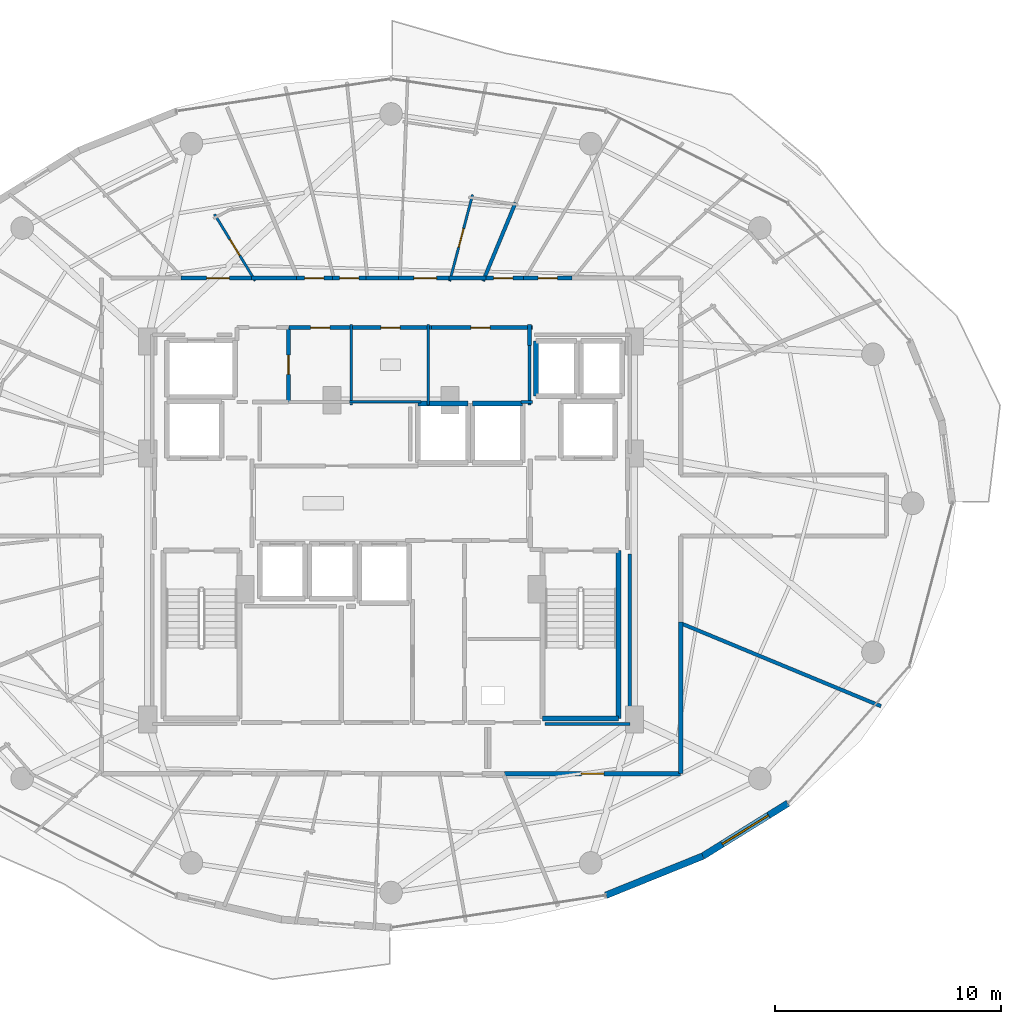
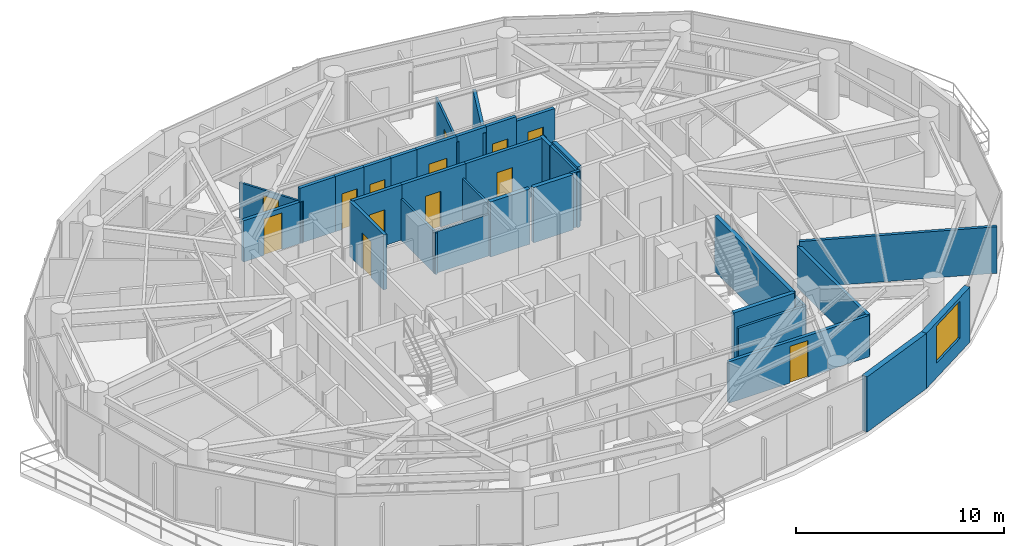
# One storey, part 23 of 28: 34 walls, 13 doors, 1 window, 14 openings.
"""IFC4 building model written with IfcOpenShell, lengths in metres."""

from ifc_helpers import new_model, si_unit, direction, frame, frame_2d, origin, place, context, subcontext, project, spatial, rectangle, extrude, material, layer, layer_set, type_object, element, fill, save


model = new_model("IFC4")

# Units and contexts
model_context = context("Model", 3, precision=1e-05, world=origin(), true_north=direction((0.0, 1.0)))
body_context = subcontext(model_context, "Body", "Model", "MODEL_VIEW")
ifc_project = project(units=[si_unit("LENGTHUNIT", "METRE"), si_unit("AREAUNIT", "SQUARE_METRE"), si_unit("VOLUMEUNIT", "CUBIC_METRE"), si_unit("PLANEANGLEUNIT", "RADIAN"), si_unit("MASSUNIT", "GRAM", prefix="KILO")], contexts=[model_context])

# Site, building, storey
site_placement = place(None, origin())
site = spatial("IfcSite", under=ifc_project, at=site_placement, CompositionType="ELEMENT")
building_placement = place(site_placement, origin())
building = spatial("IfcBuilding", under=site, at=building_placement, Name="Vorneva Point Tower", CompositionType="ELEMENT")
storey_placement = place(building_placement, frame((0.0, 0.0, 139.60009765625)))
storey = spatial("IfcBuildingStorey", under=building, at=storey_placement, Name="L37", CompositionType="ELEMENT", Elevation=139.60009765625)

# Wall
ifc_material_1 = material(Name="Precast concrete B50 (C40/50)", Category="concrete")
ifc_layer_1 = layer(ifc_material_1, 0.300048828125)
ifc_layer_set_1 = layer_set([ifc_layer_1], Name="Precast concrete B50 (C40/50)")
wall_type_1 = type_object("IfcWallType", Name="WL-EXT-300", PredefinedType="STANDARD", material=ifc_layer_set_1)
wall_1_placement = place(storey_placement, frame((47.490478515625, 8.67724609375, 0.0), z_axis=(0.0, 0.0, 1.0), x_axis=(0.927156504392, 0.374674280359, 0.0)))
element("IfcWall", 1, at=wall_1_placement, inside=storey, type_object=wall_type_1, Name="L37 Pale-Metal Facade Spandrel Wall 14.1", PredefinedType="STANDARD", context=body_context, shape_type="SweptSolid", body=[
    extrude(rectangle(XDim=4.62451171875, YDim=0.300048828125, at=frame_2d((2.312255859375, 0.0))), origin(), (0.0, 0.0, 1.0), 3.239990234375),
])

# Wall, opening, window
wall_2_placement = place(storey_placement, frame((51.778076171875, 10.409912109375, 0.0), z_axis=(0.0, 0.0, 1.0), x_axis=(0.849721181976, 0.527232313977, 0.0)))
wall_2 = element("IfcWall", 2, at=wall_2_placement, inside=storey, type_object=wall_type_1, Name="L37 Pale-Metal Facade Spandrel Wall 14.2", PredefinedType="STANDARD", context=body_context, shape_type="SweptSolid", body=[
    extrude(rectangle(XDim=4.422607421875, YDim=0.300048828125, at=frame_2d((2.21142578125, 0.0))), origin(), (0.0, 0.0, 1.0), 3.239990234375),
])
opening_1_placement = place(wall_2_placement, frame((1.011474609375, 0.0, 0.85009765625)))
opening_1 = element("IfcOpeningElement", 3, at=opening_1_placement, cuts=wall_2, Name="Opening W-03", PredefinedType="OPENING", context=body_context, shape_type="SweptSolid", body=[
    extrude(rectangle(XDim=2.39990234375, YDim=2.18994140625, at=frame_2d((1.199951171875, 1.094970703125))), frame((0.0, 0.1650390625, 0.0), z_axis=(0.0, -1.0, 0.0), x_axis=(1.0, 0.0, 0.0)), (0.0, 0.0, 1.0), 0.329833984375),
])
ifc_material_2 = material(Name="Double low-e laminated glass IGU", Category="glass")
window_type = type_object("IfcWindowType", Name="WN-RES-2400", PartitioningType="SINGLE_PANEL", PredefinedType="WINDOW", material=ifc_material_2)
window_placement = place(opening_1_placement, origin())
window = element("IfcWindow", 4, at=window_placement, inside=storey, type_object=window_type, Name="L37 Facade Window 14", OverallHeight=2.18994140625, OverallWidth=2.39990234375, PartitioningType="SINGLE_PANEL", PredefinedType="WINDOW", context=body_context, shape_type="SweptSolid", body=[
    extrude(rectangle(XDim=2.39990234375, YDim=2.18994140625, at=frame_2d((1.199951171875, 1.094970703125))), frame((0.0, 0.030029296875, 0.0), z_axis=(0.0, -1.0, 0.0), x_axis=(1.0, 0.0, 0.0)), (0.0, 0.0, 1.0), 0.06005859375),
])
fill(opening_1, window)

# Walls
ifc_material_3 = material(Name="Fire-rated acoustic gypsum stud partition", Category="gypsum")
ifc_layer_2 = layer(ifc_material_3, 0.110107421875)
ifc_layer_set_2 = layer_set([ifc_layer_2], Name="Fire-rated acoustic gypsum stud partition")
wall_type_2 = type_object("IfcWallType", Name="WL-PART-110", PredefinedType="PARTITIONING", material=ifc_layer_set_2)
for number, where, z_axis, x_axis, name in (
    (5, (36.25, 30.340087890625, 0.0), (0.0, 0.0, 1.0), (0.0, 1.0, 0.0), "L37 Interior Partition 019"),
    (6, (39.64990234375, 30.340087890625, 0.0), (0.0, 0.0, 1.0), (0.0, 1.0, 0.0), "L37 Interior Partition 022"),
):
    element("IfcWall", number, at=place(storey_placement, frame(where, z_axis=z_axis, x_axis=x_axis)), inside=storey, type_object=wall_type_2, Name=name, PredefinedType="PARTITIONING", context=body_context, shape_type="SweptSolid", body=[
        extrude(rectangle(XDim=3.559814453125, YDim=0.110107421875, at=frame_2d((1.77978515625, 0.0))), origin(), (0.0, 0.0, 1.0), 2.431884765625),
    ])
wall_3_placement = place(storey_placement, frame((36.159912109375, 30.47998046875, 0.0), z_axis=(0.0, 0.0, 1.0), x_axis=(1.0, 0.0, 0.0)))
element("IfcWall", 7, at=wall_3_placement, inside=storey, type_object=wall_type_2, Name="L37 Interior Partition 023", PredefinedType="PARTITIONING", context=body_context, shape_type="SweptSolid", body=[
    extrude(rectangle(XDim=3.16015625, YDim=0.110107421875, at=frame_2d((1.580078125, 0.0))), origin(), (0.0, 0.0, 1.0), 2.431884765625),
])

# Wall, opening, door
wall_4_placement = place(storey_placement, frame((40.59423828125, 35.814697265625, 0.0), z_axis=(0.0, 0.0, 1.0), x_axis=(0.255512094359, 0.966805859331, 0.0)))
wall_4 = element("IfcWall", 8, at=wall_4_placement, inside=storey, type_object=wall_type_2, Name="L37 Interior Partition 083", PredefinedType="PARTITIONING", context=body_context, shape_type="SweptSolid", body=[
    extrude(rectangle(XDim=3.950927734375, YDim=0.110107421875, at=frame_2d((1.9755859375, 0.0))), origin(), (0.0, 0.0, 1.0), 2.921875),
])
opening_2_placement = place(wall_4_placement, frame((1.550537109375, 0.0, 0.0)))
opening_2 = element("IfcOpeningElement", 9, at=opening_2_placement, cuts=wall_4, Name="Opening ID-02", PredefinedType="OPENING", context=body_context, shape_type="SweptSolid", body=[
    extrude(rectangle(XDim=0.85009765625, YDim=2.10009765625, at=frame_2d((0.425048828125, 1.050048828125))), frame((0.0, 0.06982421875, 0.0), z_axis=(0.0, -1.0, 0.0), x_axis=(1.0, 0.0, 0.0)), (0.0, 0.0, 1.0), 0.139892578125),
])
ifc_material_4 = material(Name="Engineered oak fire-rated door leaf", Category="wood")
door_type_1 = type_object("IfcDoorType", Name="DR-BATH-850", OperationType="NOTDEFINED", PredefinedType="DOOR", material=ifc_material_4)
door_1_placement = place(opening_2_placement, origin())
door_1 = element("IfcDoor", 10, at=door_1_placement, inside=storey, type_object=door_type_1, Name="L37 Door Living and Dining Room L37-02 / Bathroom L37-02", OperationType="SINGLE_SWING_RIGHT", OverallHeight=2.10009765625, OverallWidth=0.85009765625, PredefinedType="DOOR", context=body_context, shape_type="SweptSolid", body=[
    extrude(rectangle(XDim=0.85009765625, YDim=2.10009765625, at=frame_2d((0.425048828125, 1.050048828125))), frame((0.0, 0.02490234375, 0.0), z_axis=(0.0, -1.0, 0.0), x_axis=(1.0, 0.0, 0.0)), (0.0, 0.0, 1.0), 0.050048828125),
])
fill(opening_2, door_1)

wall_5_placement = place(storey_placement, frame((31.9970703125, 35.83056640625, 0.0), z_axis=(0.0, 0.0, 1.0), x_axis=(-0.521220733209, 0.853421904613, 0.0)))
wall_5 = element("IfcWall", 11, at=wall_5_placement, inside=storey, type_object=wall_type_2, Name="L37 Interior Partition 093", PredefinedType="PARTITIONING", context=body_context, shape_type="SweptSolid", body=[
    extrude(rectangle(XDim=3.446044921875, YDim=0.110107421875, at=frame_2d((1.72314453125, 0.0))), origin(), (0.0, 0.0, 1.0), 2.431884765625),
])
opening_3_placement = place(wall_5_placement, frame((1.298095703125, 0.0, 0.0)))
opening_3 = element("IfcOpeningElement", 12, at=opening_3_placement, cuts=wall_5, Name="Opening ID-02", PredefinedType="OPENING", context=body_context, shape_type="SweptSolid", body=[
    extrude(rectangle(XDim=0.85009765625, YDim=2.10009765625, at=frame_2d((0.425048828125, 1.050048828125))), frame((0.0, 0.06982421875, 0.0), z_axis=(0.0, -1.0, 0.0), x_axis=(1.0, 0.0, 0.0)), (0.0, 0.0, 1.0), 0.139892578125),
])
door_2_placement = place(opening_3_placement, origin())
door_2 = element("IfcDoor", 13, at=door_2_placement, inside=storey, type_object=door_type_1, Name="L37 Door Living and Dining Room L37-03 / Bathroom L37-03", OperationType="SINGLE_SWING_LEFT", OverallHeight=2.10009765625, OverallWidth=0.85009765625, PredefinedType="DOOR", context=body_context, shape_type="SweptSolid", body=[
    extrude(rectangle(XDim=0.85009765625, YDim=2.10009765625, at=frame_2d((0.425048828125, 1.050048828125))), frame((0.0, 0.02490234375, 0.0), z_axis=(0.0, -1.0, 0.0), x_axis=(1.0, 0.0, 0.0)), (0.0, 0.0, 1.0), 0.050048828125),
])
fill(opening_3, door_2)

# Walls
ifc_layer_3 = layer(ifc_material_3, 0.139892578125)
ifc_layer_set_3 = layer_set([ifc_layer_3], Name="Fire-rated acoustic gypsum stud partition")
wall_type_3 = type_object("IfcWallType", Name="WL-PART-140", PredefinedType="PARTITIONING", material=ifc_layer_set_3)
wall_6_placement = place(storey_placement, frame((43.735107421875, 30.47998046875, 0.0), z_axis=(0.0, 0.0, 1.0), x_axis=(1.0, 0.0, 0.0)))
element("IfcWall", 14, at=wall_6_placement, inside=storey, type_object=wall_type_3, Name="L37 Interior Closure Partition 138", PredefinedType="PARTITIONING", context=body_context, shape_type="SweptSolid", body=[
    extrude(rectangle(XDim=0.52490234375, YDim=0.139892578125, at=frame_2d((0.262451171875, 0.0))), origin(), (0.0, 0.0, 1.0), 3.239990234375),
])
wall_7_placement = place(storey_placement, frame((44.1201171875, 30.340087890625, 0.0), z_axis=(0.0, 0.0, 1.0), x_axis=(0.0, 1.0, 0.0)))
element("IfcWall", 15, at=wall_7_placement, inside=storey, type_object=wall_type_3, Name="L37 Interior Closure Partition 139", PredefinedType="PARTITIONING", context=body_context, shape_type="SweptSolid", body=[
    extrude(rectangle(XDim=2.659912109375, YDim=0.139892578125, at=frame_2d((1.330078125, 0.0))), origin(), (0.0, 0.0, 1.0), 3.239990234375),
])
wall_8_placement = place(storey_placement, frame((48.550048828125, 16.239990234375, 0.0), z_axis=(0.0, 0.0, 1.0), x_axis=(0.0, 1.0, 0.0)))
element("IfcWall", 16, at=wall_8_placement, inside=storey, type_object=wall_type_3, Name="L37 Interior Closure Partition 144", PredefinedType="PARTITIONING", context=body_context, shape_type="SweptSolid", body=[
    extrude(rectangle(XDim=7.513916015625, YDim=0.139892578125, at=frame_2d((3.7568359375, 0.0))), origin(), (0.0, 0.0, 1.0), 2.431884765625),
])
wall_9_placement = place(storey_placement, frame((44.804931640625, 16.239990234375, 0.0), z_axis=(0.0, 0.0, 1.0), x_axis=(1.0, 0.0, 0.0)))
element("IfcWall", 17, at=wall_9_placement, inside=storey, type_object=wall_type_3, Name="L37 Interior Closure Partition 154", PredefinedType="PARTITIONING", context=body_context, shape_type="SweptSolid", body=[
    extrude(rectangle(XDim=3.7451171875, YDim=0.139892578125, at=frame_2d((1.87255859375, 0.0))), origin(), (0.0, 0.0, 1.0), 2.431884765625),
])
ifc_layer_4 = layer(ifc_material_3, 0.159912109375)
ifc_layer_set_4 = layer_set([ifc_layer_4], Name="Fire-rated acoustic gypsum stud partition")
wall_type_4 = type_object("IfcWallType", Name="WL-PART-160", PredefinedType="PARTITIONING", material=ifc_layer_set_4)
wall_10_placement = place(storey_placement, frame((43.502685546875, 39.285400390625, 0.0), z_axis=(0.0, 0.0, 1.0), x_axis=(-0.382733183699, -0.923858923265, 0.0)))
element("IfcWall", 18, at=wall_10_placement, inside=storey, type_object=wall_type_4, Name="L37 Interior Partition 082", PredefinedType="PARTITIONING", context=body_context, shape_type="SweptSolid", body=[
    extrude(rectangle(XDim=3.750244140625, YDim=0.159912109375, at=frame_2d((1.875, 0.0))), origin(), (0.0, 0.0, 1.0), 2.921875),
])
wall_11_placement = place(storey_placement, frame((59.64501953125, 17.034912109375, 0.0), z_axis=(0.0, 0.0, 1.0), x_axis=(-0.923902460479, 0.382628074665, 0.0)))
element("IfcWall", 19, at=wall_11_placement, inside=storey, type_object=wall_type_4, Name="L37 Interior Partition 134", PredefinedType="PARTITIONING", context=body_context, shape_type="SweptSolid", body=[
    extrude(rectangle(XDim=9.573486328125, YDim=0.159912109375, at=frame_2d((4.78662109375, 0.0))), origin(), (0.0, 0.0, 1.0), 2.727783203125),
])

# Wall, opening, door
ifc_material_5 = material(Name="Autoclaved aerated concrete blockwork", Category="masonry")
ifc_layer_5 = layer(ifc_material_5, 0.179931640625)
ifc_layer_set_5 = layer_set([ifc_layer_5], Name="Autoclaved aerated concrete blockwork")
wall_type_5 = type_object("IfcWallType", Name="WL-PART-180", PredefinedType="PARTITIONING", material=ifc_layer_set_5)
wall_12_placement = place(storey_placement, frame((33.469970703125, 30.47998046875, 0.0), z_axis=(0.0, 0.0, 1.0), x_axis=(0.0, 1.0, 0.0)))
wall_12 = element("IfcWall", 20, at=wall_12_placement, inside=storey, type_object=wall_type_5, Name="L37 Interior Partition 006", PredefinedType="PARTITIONING", context=body_context, shape_type="SweptSolid", body=[
    extrude(rectangle(XDim=3.280029296875, YDim=0.179931640625, at=frame_2d((1.64013671875, 0.0))), origin(), (0.0, 0.0, 1.0), 3.239990234375),
])
opening_4_placement = place(wall_12_placement, frame((1.215087890625, 0.0, 0.0)))
opening_4 = element("IfcOpeningElement", 21, at=opening_4_placement, cuts=wall_12, Name="Opening ID-02", PredefinedType="OPENING", context=body_context, shape_type="SweptSolid", body=[
    extrude(rectangle(XDim=0.85009765625, YDim=2.10009765625, at=frame_2d((0.425048828125, 1.050048828125))), frame((0.0, 0.10498046875, 0.0), z_axis=(0.0, -1.0, 0.0), x_axis=(1.0, 0.0, 0.0)), (0.0, 0.0, 1.0), 0.209716796875),
])
door_3_placement = place(opening_4_placement, origin())
door_3 = element("IfcDoor", 22, at=door_3_placement, inside=storey, type_object=door_type_1, Name="L37 Door Service Lift Lobby / Core Supply Store", OperationType="SINGLE_SWING_RIGHT", OverallHeight=2.10009765625, OverallWidth=0.85009765625, PredefinedType="DOOR", context=body_context, shape_type="SweptSolid", body=[
    extrude(rectangle(XDim=0.85009765625, YDim=2.10009765625, at=frame_2d((0.425048828125, 1.050048828125))), frame((0.0, 0.02490234375, 0.0), z_axis=(0.0, -1.0, 0.0), x_axis=(1.0, 0.0, 0.0)), (0.0, 0.0, 1.0), 0.050048828125),
])
fill(opening_4, door_3)

wall_13_placement = place(storey_placement, frame((36.25, 33.760009765625, 0.0), z_axis=(0.0, 0.0, 1.0), x_axis=(-1.0, 0.0, 0.0)))
wall_13 = element("IfcWall", 23, at=wall_13_placement, inside=storey, type_object=wall_type_5, Name="L37 Interior Partition 021", PredefinedType="PARTITIONING", context=body_context, shape_type="SweptSolid", body=[
    extrude(rectangle(XDim=2.75, YDim=0.179931640625, at=frame_2d((1.375, 0.0))), origin(), (0.0, 0.0, 1.0), 3.239990234375),
])
opening_5_placement = place(wall_13_placement, frame((0.949951171875, 0.0, 0.0)))
opening_5 = element("IfcOpeningElement", 24, at=opening_5_placement, cuts=wall_13, Name="Opening ID-02", PredefinedType="OPENING", context=body_context, shape_type="SweptSolid", body=[
    extrude(rectangle(XDim=0.85009765625, YDim=2.10009765625, at=frame_2d((0.425048828125, 1.050048828125))), frame((0.0, 0.10498046875, 0.0), z_axis=(0.0, -1.0, 0.0), x_axis=(1.0, 0.0, 0.0)), (0.0, 0.0, 1.0), 0.209716796875),
])
door_4_placement = place(opening_5_placement, origin())
door_4 = element("IfcDoor", 25, at=door_4_placement, inside=storey, type_object=door_type_1, Name="L37 Door Core Supply Store / L37 Circulation Corridor", OperationType="SINGLE_SWING_RIGHT", OverallHeight=2.10009765625, OverallWidth=0.85009765625, PredefinedType="DOOR", context=body_context, shape_type="SweptSolid", body=[
    extrude(rectangle(XDim=0.85009765625, YDim=2.10009765625, at=frame_2d((0.425048828125, 1.050048828125))), frame((0.0, 0.02490234375, 0.0), z_axis=(0.0, -1.0, 0.0), x_axis=(1.0, 0.0, 0.0)), (0.0, 0.0, 1.0), 0.050048828125),
])
fill(opening_5, door_4)

wall_14_placement = place(storey_placement, frame((39.7900390625, 33.760009765625, 0.0), z_axis=(0.0, 0.0, 1.0), x_axis=(-1.0, 0.0, 0.0)))
wall_14 = element("IfcWall", 26, at=wall_14_placement, inside=storey, type_object=wall_type_5, Name="L37 Interior Partition 024", PredefinedType="PARTITIONING", context=body_context, shape_type="SweptSolid", body=[
    extrude(rectangle(XDim=3.630126953125, YDim=0.179931640625, at=frame_2d((1.81494140625, 0.0))), origin(), (0.0, 0.0, 1.0), 3.239990234375),
])
opening_6_placement = place(wall_14_placement, frame((1.389892578125, 0.0, 0.0)))
opening_6 = element("IfcOpeningElement", 27, at=opening_6_placement, cuts=wall_14, Name="Opening ID-02", PredefinedType="OPENING", context=body_context, shape_type="SweptSolid", body=[
    extrude(rectangle(XDim=0.85009765625, YDim=2.10009765625, at=frame_2d((0.425048828125, 1.050048828125))), frame((0.0, 0.10498046875, 0.0), z_axis=(0.0, -1.0, 0.0), x_axis=(1.0, 0.0, 0.0)), (0.0, 0.0, 1.0), 0.209716796875),
])
door_5_placement = place(opening_6_placement, origin())
door_5 = element("IfcDoor", 28, at=door_5_placement, inside=storey, type_object=door_type_1, Name="L37 Door Accessible WC / L37 Circulation Corridor", OperationType="SINGLE_SWING_LEFT", OverallHeight=2.10009765625, OverallWidth=0.85009765625, PredefinedType="DOOR", context=body_context, shape_type="SweptSolid", body=[
    extrude(rectangle(XDim=0.85009765625, YDim=2.10009765625, at=frame_2d((0.425048828125, 1.050048828125))), frame((0.0, 0.02490234375, 0.0), z_axis=(0.0, -1.0, 0.0), x_axis=(1.0, 0.0, 0.0)), (0.0, 0.0, 1.0), 0.050048828125),
])
fill(opening_6, door_5)

wall_15_placement = place(storey_placement, frame((44.260009765625, 33.760009765625, 0.0), z_axis=(0.0, 0.0, 1.0), x_axis=(-1.0, 0.0, 0.0)))
wall_15 = element("IfcWall", 29, at=wall_15_placement, inside=storey, type_object=wall_type_5, Name="L37 Interior Partition 025", PredefinedType="PARTITIONING", context=body_context, shape_type="SweptSolid", body=[
    extrude(rectangle(XDim=4.610107421875, YDim=0.179931640625, at=frame_2d((2.30517578125, 0.0))), origin(), (0.0, 0.0, 1.0), 3.239990234375),
])
opening_7_placement = place(wall_15_placement, frame((1.8798828125, 0.0, 0.0)))
opening_7 = element("IfcOpeningElement", 30, at=opening_7_placement, cuts=wall_15, Name="Opening ID-02", PredefinedType="OPENING", context=body_context, shape_type="SweptSolid", body=[
    extrude(rectangle(XDim=0.85009765625, YDim=2.10009765625, at=frame_2d((0.425048828125, 1.050048828125))), frame((0.0, 0.10498046875, 0.0), z_axis=(0.0, -1.0, 0.0), x_axis=(1.0, 0.0, 0.0)), (0.0, 0.0, 1.0), 0.209716796875),
])
door_6_placement = place(opening_7_placement, origin())
door_6 = element("IfcDoor", 31, at=door_6_placement, inside=storey, type_object=door_type_1, Name="L37 Door Public WC / L37 Circulation Corridor", OperationType="SINGLE_SWING_RIGHT", OverallHeight=2.10009765625, OverallWidth=0.85009765625, PredefinedType="DOOR", context=body_context, shape_type="SweptSolid", body=[
    extrude(rectangle(XDim=0.85009765625, YDim=2.10009765625, at=frame_2d((0.425048828125, 1.050048828125))), frame((0.0, 0.02490234375, 0.0), z_axis=(0.0, -1.0, 0.0), x_axis=(1.0, 0.0, 0.0)), (0.0, 0.0, 1.0), 0.050048828125),
])
fill(opening_7, door_6)

# Wall
wall_16_placement = place(storey_placement, frame((44.1201171875, 32.969970703125, 0.0), z_axis=(0.0, 0.0, 1.0), x_axis=(0.0, 1.0, 0.0)))
element("IfcWall", 32, at=wall_16_placement, inside=storey, type_object=wall_type_5, Name="L37 Interior Partition 026", PredefinedType="PARTITIONING", context=body_context, shape_type="SweptSolid", body=[
    extrude(rectangle(XDim=0.929931640625, YDim=0.179931640625, at=frame_2d((0.46484375, 0.0))), origin(), (0.0, 0.0, 1.0), 3.239990234375),
])

# Wall, opening, door
wall_17_placement = place(storey_placement, frame((45.9970703125, 35.949951171875, 0.0), z_axis=(0.0, 0.0, 1.0), x_axis=(-1.0, 0.0, 0.0)))
wall_17 = element("IfcWall", 33, at=wall_17_placement, inside=storey, type_object=wall_type_5, Name="L37 Interior Partition 034", PredefinedType="PARTITIONING", context=body_context, shape_type="SweptSolid", body=[
    extrude(rectangle(XDim=2.136962890625, YDim=0.179931640625, at=frame_2d((1.068359375, 0.0))), origin(), (0.0, 0.0, 1.0), 2.971923828125),
])
opening_8_placement = place(wall_17_placement, frame((0.6435546875, 0.0, 0.0)))
opening_8 = element("IfcOpeningElement", 34, at=opening_8_placement, cuts=wall_17, Name="Opening ID-02", PredefinedType="OPENING", context=body_context, shape_type="SweptSolid", body=[
    extrude(rectangle(XDim=0.85009765625, YDim=2.10009765625, at=frame_2d((0.425048828125, 1.050048828125))), frame((0.0, 0.10498046875, 0.0), z_axis=(0.0, -1.0, 0.0), x_axis=(1.0, 0.0, 0.0)), (0.0, 0.0, 1.0), 0.209716796875),
])
door_7_placement = place(opening_8_placement, origin())
door_7 = element("IfcDoor", 35, at=door_7_placement, inside=storey, type_object=door_type_1, Name="L37 Access Door L37 Circulation Corridor", OperationType="SINGLE_SWING_LEFT", OverallHeight=2.10009765625, OverallWidth=0.85009765625, PredefinedType="DOOR", context=body_context, shape_type="SweptSolid", body=[
    extrude(rectangle(XDim=0.85009765625, YDim=2.10009765625, at=frame_2d((0.425048828125, 1.050048828125))), frame((0.0, 0.02490234375, 0.0), z_axis=(0.0, -1.0, 0.0), x_axis=(1.0, 0.0, 0.0)), (0.0, 0.0, 1.0), 0.050048828125),
])
fill(opening_8, door_7)

wall_18_placement = place(storey_placement, frame((43.860107421875, 35.949951171875, 0.0), z_axis=(0.0, 0.0, 1.0), x_axis=(-1.0, 0.0, 0.0)))
wall_18 = element("IfcWall", 36, at=wall_18_placement, inside=storey, type_object=wall_type_5, Name="L37 Interior Partition 035", PredefinedType="PARTITIONING", context=body_context, shape_type="SweptSolid", body=[
    extrude(rectangle(XDim=1.799072265625, YDim=0.179931640625, at=frame_2d((0.8994140625, 0.0))), origin(), (0.0, 0.0, 1.0), 3.239990234375),
])
opening_9_placement = place(wall_18_placement, frame((0.474609375, 0.0, 0.0)))
opening_9 = element("IfcOpeningElement", 37, at=opening_9_placement, cuts=wall_18, Name="Opening ID-02", PredefinedType="OPENING", context=body_context, shape_type="SweptSolid", body=[
    extrude(rectangle(XDim=0.85009765625, YDim=2.10009765625, at=frame_2d((0.425048828125, 1.050048828125))), frame((0.0, 0.10498046875, 0.0), z_axis=(0.0, -1.0, 0.0), x_axis=(1.0, 0.0, 0.0)), (0.0, 0.0, 1.0), 0.209716796875),
])
door_8_placement = place(opening_9_placement, origin())
door_8 = element("IfcDoor", 38, at=door_8_placement, inside=storey, type_object=door_type_1, Name="L37 Access Door L37 Circulation Corridor", OperationType="SINGLE_SWING_RIGHT", OverallHeight=2.10009765625, OverallWidth=0.85009765625, PredefinedType="DOOR", context=body_context, shape_type="SweptSolid", body=[
    extrude(rectangle(XDim=0.85009765625, YDim=2.10009765625, at=frame_2d((0.425048828125, 1.050048828125))), frame((0.0, 0.02490234375, 0.0), z_axis=(0.0, -1.0, 0.0), x_axis=(1.0, 0.0, 0.0)), (0.0, 0.0, 1.0), 0.050048828125),
])
fill(opening_9, door_8)

wall_19_placement = place(storey_placement, frame((40.69189453125, 35.949951171875, 0.0), z_axis=(0.0, 0.0, 1.0), x_axis=(-1.0, 0.0, 0.0)))
wall_19 = element("IfcWall", 39, at=wall_19_placement, inside=storey, type_object=wall_type_5, Name="L37 Interior Partition 036", PredefinedType="PARTITIONING", context=body_context, shape_type="SweptSolid", body=[
    extrude(rectangle(XDim=2.36083984375, YDim=0.179931640625, at=frame_2d((1.180419921875, 0.0))), origin(), (0.0, 0.0, 1.0), 3.239990234375),
])
opening_10_placement = place(wall_19_placement, frame((0.680419921875, 0.0, 0.0)))
opening_10 = element("IfcOpeningElement", 40, at=opening_10_placement, cuts=wall_19, Name="Opening UD-01", PredefinedType="OPENING", context=body_context, shape_type="SweptSolid", body=[
    extrude(rectangle(XDim=1.0, YDim=2.14990234375, at=frame_2d((0.5, 1.074951171875))), frame((0.0, 0.10498046875, 0.0), z_axis=(0.0, -1.0, 0.0), x_axis=(1.0, 0.0, 0.0)), (0.0, 0.0, 1.0), 0.209716796875),
])
door_type_2 = type_object("IfcDoorType", Name="DR-UNIT-1000", OperationType="NOTDEFINED", PredefinedType="DOOR", material=ifc_material_4)
door_9_placement = place(opening_10_placement, origin())
door_9 = element("IfcDoor", 41, at=door_9_placement, inside=storey, type_object=door_type_2, Name="L37 Door L37 Circulation Corridor / Living and Dining Room L37-02", OperationType="SINGLE_SWING_RIGHT", OverallHeight=2.14990234375, OverallWidth=1.0, PredefinedType="DOOR", context=body_context, shape_type="SweptSolid", body=[
    extrude(rectangle(XDim=1.0, YDim=2.14990234375, at=frame_2d((0.5, 1.074951171875))), frame((0.0, 0.02490234375, 0.0), z_axis=(0.0, -1.0, 0.0), x_axis=(1.0, 0.0, 0.0)), (0.0, 0.0, 1.0), 0.050048828125),
])
fill(opening_10, door_9)

# Walls
wall_20_placement = place(storey_placement, frame((42.200927734375, 35.949951171875, 0.0), z_axis=(0.0, 0.0, 1.0), x_axis=(-1.0, 0.0, 0.0)))
element("IfcWall", 42, at=wall_20_placement, inside=storey, type_object=wall_type_5, Name="L37 Interior Partition 037", PredefinedType="PARTITIONING", context=body_context, shape_type="SweptSolid", body=[
    extrude(rectangle(XDim=1.64892578125, YDim=0.179931640625, at=frame_2d((0.824462890625, 0.0))), origin(), (0.0, 0.0, 1.0), 3.239990234375),
])
wall_21_placement = place(storey_placement, frame((38.3310546875, 35.949951171875, 0.0), z_axis=(0.0, 0.0, 1.0), x_axis=(-1.0, 0.0, 0.0)))
element("IfcWall", 43, at=wall_21_placement, inside=storey, type_object=wall_type_5, Name="L37 Interior Partition 038", PredefinedType="PARTITIONING", context=body_context, shape_type="SweptSolid", body=[
    extrude(rectangle(XDim=1.43701171875, YDim=0.179931640625, at=frame_2d((0.718505859375, 0.0))), origin(), (0.0, 0.0, 1.0), 3.239990234375),
])

# Wall, opening, door
wall_22_placement = place(storey_placement, frame((36.89404296875, 35.949951171875, 0.0), z_axis=(0.0, 0.0, 1.0), x_axis=(-1.0, 0.0, 0.0)))
wall_22 = element("IfcWall", 44, at=wall_22_placement, inside=storey, type_object=wall_type_5, Name="L37 Interior Partition 039", PredefinedType="PARTITIONING", context=body_context, shape_type="SweptSolid", body=[
    extrude(rectangle(XDim=1.483154296875, YDim=0.179931640625, at=frame_2d((0.74169921875, 0.0))), origin(), (0.0, 0.0, 1.0), 3.239990234375),
])
opening_11_placement = place(wall_22_placement, frame((0.31640625, 0.0, 0.0)))
opening_11 = element("IfcOpeningElement", 45, at=opening_11_placement, cuts=wall_22, Name="Opening ID-02", PredefinedType="OPENING", context=body_context, shape_type="SweptSolid", body=[
    extrude(rectangle(XDim=0.85009765625, YDim=2.10009765625, at=frame_2d((0.425048828125, 1.050048828125))), frame((0.0, 0.10498046875, 0.0), z_axis=(0.0, -1.0, 0.0), x_axis=(1.0, 0.0, 0.0)), (0.0, 0.0, 1.0), 0.209716796875),
])
door_10_placement = place(opening_11_placement, origin())
door_10 = element("IfcDoor", 46, at=door_10_placement, inside=storey, type_object=door_type_1, Name="L37 Access Door L37 Circulation Corridor", OperationType="SINGLE_SWING_LEFT", OverallHeight=2.10009765625, OverallWidth=0.85009765625, PredefinedType="DOOR", context=body_context, shape_type="SweptSolid", body=[
    extrude(rectangle(XDim=0.85009765625, YDim=2.10009765625, at=frame_2d((0.425048828125, 1.050048828125))), frame((0.0, 0.02490234375, 0.0), z_axis=(0.0, -1.0, 0.0), x_axis=(1.0, 0.0, 0.0)), (0.0, 0.0, 1.0), 0.050048828125),
])
fill(opening_11, door_10)

wall_23_placement = place(storey_placement, frame((35.410888671875, 35.949951171875, 0.0), z_axis=(0.0, 0.0, 1.0), x_axis=(-1.0, 0.0, 0.0)))
wall_23 = element("IfcWall", 47, at=wall_23_placement, inside=storey, type_object=wall_type_5, Name="L37 Interior Partition 040", PredefinedType="PARTITIONING", context=body_context, shape_type="SweptSolid", body=[
    extrude(rectangle(XDim=1.596923828125, YDim=0.179931640625, at=frame_2d((0.79833984375, 0.0))), origin(), (0.0, 0.0, 1.0), 3.239990234375),
])
opening_12_placement = place(wall_23_placement, frame((0.37353515625, 0.0, 0.0)))
opening_12 = element("IfcOpeningElement", 48, at=opening_12_placement, cuts=wall_23, Name="Opening ID-02", PredefinedType="OPENING", context=body_context, shape_type="SweptSolid", body=[
    extrude(rectangle(XDim=0.85009765625, YDim=2.10009765625, at=frame_2d((0.425048828125, 1.050048828125))), frame((0.0, 0.10498046875, 0.0), z_axis=(0.0, -1.0, 0.0), x_axis=(1.0, 0.0, 0.0)), (0.0, 0.0, 1.0), 0.209716796875),
])
door_11_placement = place(opening_12_placement, origin())
door_11 = element("IfcDoor", 49, at=door_11_placement, inside=storey, type_object=door_type_1, Name="L37 Access Door L37 Circulation Corridor", OperationType="SINGLE_SWING_RIGHT", OverallHeight=2.10009765625, OverallWidth=0.85009765625, PredefinedType="DOOR", context=body_context, shape_type="SweptSolid", body=[
    extrude(rectangle(XDim=0.85009765625, YDim=2.10009765625, at=frame_2d((0.425048828125, 1.050048828125))), frame((0.0, 0.02490234375, 0.0), z_axis=(0.0, -1.0, 0.0), x_axis=(1.0, 0.0, 0.0)), (0.0, 0.0, 1.0), 0.050048828125),
])
fill(opening_12, door_11)

wall_24_placement = place(storey_placement, frame((31.98388671875, 35.949951171875, 0.0), z_axis=(0.0, 0.0, 1.0), x_axis=(-1.0, 0.0, 0.0)))
wall_24 = element("IfcWall", 50, at=wall_24_placement, inside=storey, type_object=wall_type_5, Name="L37 Interior Partition 041", PredefinedType="PARTITIONING", context=body_context, shape_type="SweptSolid", body=[
    extrude(rectangle(XDim=3.263916015625, YDim=0.179931640625, at=frame_2d((1.6318359375, 0.0))), origin(), (0.0, 0.0, 1.0), 2.431884765625),
])
opening_13_placement = place(wall_24_placement, frame((1.132080078125, 0.0, 0.0)))
opening_13 = element("IfcOpeningElement", 51, at=opening_13_placement, cuts=wall_24, Name="Opening UD-01", PredefinedType="OPENING", context=body_context, shape_type="SweptSolid", body=[
    extrude(rectangle(XDim=1.0, YDim=2.14990234375, at=frame_2d((0.5, 1.074951171875))), frame((0.0, 0.10498046875, 0.0), z_axis=(0.0, -1.0, 0.0), x_axis=(1.0, 0.0, 0.0)), (0.0, 0.0, 1.0), 0.209716796875),
])
door_12_placement = place(opening_13_placement, origin())
door_12 = element("IfcDoor", 52, at=door_12_placement, inside=storey, type_object=door_type_2, Name="L37 Door L37 Circulation Corridor / Living and Dining Room L37-03", OperationType="SINGLE_SWING_LEFT", OverallHeight=2.14990234375, OverallWidth=1.0, PredefinedType="DOOR", context=body_context, shape_type="SweptSolid", body=[
    extrude(rectangle(XDim=1.0, YDim=2.14990234375, at=frame_2d((0.5, 1.074951171875))), frame((0.0, 0.02490234375, 0.0), z_axis=(0.0, -1.0, 0.0), x_axis=(1.0, 0.0, 0.0)), (0.0, 0.0, 1.0), 0.050048828125),
])
fill(opening_13, door_12)

# Wall
wall_25_placement = place(storey_placement, frame((33.9541015625, 35.949951171875, 0.0), z_axis=(0.0, 0.0, 1.0), x_axis=(-1.0, 0.0, 0.0)))
element("IfcWall", 53, at=wall_25_placement, inside=storey, type_object=wall_type_5, Name="L37 Interior Partition 042", PredefinedType="PARTITIONING", context=body_context, shape_type="SweptSolid", body=[
    extrude(rectangle(XDim=2.110107421875, YDim=0.179931640625, at=frame_2d((1.05517578125, 0.0))), origin(), (0.0, 0.0, 1.0), 3.239990234375),
])

# Wall, opening, door
wall_26_placement = place(storey_placement, frame((43.014892578125, 14.050048828125, 0.0), z_axis=(0.0, 0.0, 1.0), x_axis=(1.0, 0.0, 0.0)))
wall_26 = element("IfcWall", 54, at=wall_26_placement, inside=storey, type_object=wall_type_5, Name="L37 Interior Partition 062", PredefinedType="PARTITIONING", context=body_context, shape_type="SweptSolid", body=[
    extrude(rectangle(XDim=7.78515625, YDim=0.179931640625, at=frame_2d((3.892578125, 0.0))), origin(), (0.0, 0.0, 1.0), 2.431884765625),
])
opening_14_placement = place(wall_26_placement, frame((3.392578125, 0.0, 0.0)))
opening_14 = element("IfcOpeningElement", 55, at=opening_14_placement, cuts=wall_26, Name="Opening UD-01", PredefinedType="OPENING", context=body_context, shape_type="SweptSolid", body=[
    extrude(rectangle(XDim=1.0, YDim=2.14990234375, at=frame_2d((0.5, 1.074951171875))), frame((0.0, 0.10498046875, 0.0), z_axis=(0.0, -1.0, 0.0), x_axis=(1.0, 0.0, 0.0)), (0.0, 0.0, 1.0), 0.209716796875),
])
door_13_placement = place(opening_14_placement, origin())
door_13 = element("IfcDoor", 56, at=door_13_placement, inside=storey, type_object=door_type_2, Name="L37 Door L37 Circulation Corridor / Residents Co-Working Office L37-07", OperationType="SINGLE_SWING_LEFT", OverallHeight=2.14990234375, OverallWidth=1.0, PredefinedType="DOOR", context=body_context, shape_type="SweptSolid", body=[
    extrude(rectangle(XDim=1.0, YDim=2.14990234375, at=frame_2d((0.5, 1.074951171875))), frame((0.0, 0.02490234375, 0.0), z_axis=(0.0, -1.0, 0.0), x_axis=(1.0, 0.0, 0.0)), (0.0, 0.0, 1.0), 0.050048828125),
])
fill(opening_14, door_13)

# Walls
wall_27_placement = place(storey_placement, frame((50.800048828125, 14.050048828125, 0.0), z_axis=(0.0, 0.0, 1.0), x_axis=(0.0, 1.0, 0.0)))
element("IfcWall", 57, at=wall_27_placement, inside=storey, type_object=wall_type_5, Name="L37 Interior Partition 063", PredefinedType="PARTITIONING", context=body_context, shape_type="SweptSolid", body=[
    extrude(rectangle(XDim=6.7080078125, YDim=0.179931640625, at=frame_2d((3.35400390625, 0.0))), origin(), (0.0, 0.0, 1.0), 2.431884765625),
])
ifc_material_6 = material(Name="Concrete B50 (C40/50)", Category="concrete")
ifc_layer_6 = layer(ifc_material_6, 0.219970703125)
ifc_layer_set_6 = layer_set([ifc_layer_6], Name="Concrete B50 (C40/50)")
wall_type_6 = type_object("IfcWallType", Name="WL-SHFT-220", PredefinedType="SOLIDWALL", material=ifc_layer_set_6)
wall_28_placement = place(storey_placement, frame((48.06005859375, 23.909912109375, 0.0), z_axis=(0.0, 0.0, 1.0), x_axis=(0.0, -1.0, 0.0)))
element("IfcWall", 58, at=wall_28_placement, inside=storey, type_object=wall_type_6, Name="L37 Exit Stair ST2 Shaft Wall right", PredefinedType="SOLIDWALL", context=body_context, shape_type="SweptSolid", body=[
    extrude(rectangle(XDim=7.419921875, YDim=0.219970703125, at=frame_2d((3.7099609375, 0.0))), origin(), (0.0, 0.0, 1.0), 3.239990234375),
])
wall_29_placement = place(storey_placement, frame((48.06005859375, 16.489990234375, 0.0), z_axis=(0.0, 0.0, 1.0), x_axis=(-1.0, 0.0, 0.0)))
element("IfcWall", 59, at=wall_29_placement, inside=storey, type_object=wall_type_6, Name="L37 Exit Stair ST2 Shaft Wall far", PredefinedType="SOLIDWALL", context=body_context, shape_type="SweptSolid", body=[
    extrude(rectangle(XDim=3.3701171875, YDim=0.219970703125, at=frame_2d((1.68505859375, 0.0))), origin(), (0.0, 0.0, 1.0), 3.239990234375),
])
for number, where, z_axis, x_axis, name in (
    (60, (41.39990234375, 30.39990234375, 0.0), (0.0, 0.0, 1.0), (-1.0, 0.0, 0.0), "L37 Lift PL7 Shaft Wall +Y"),
    (61, (43.800048828125, 30.39990234375, 0.0), (0.0, 0.0, 1.0), (-1.0, 0.0, 0.0), "L37 Lift PL8 Shaft Wall +Y"),
):
    element("IfcWall", number, at=place(storey_placement, frame(where, z_axis=z_axis, x_axis=x_axis)), inside=storey, type_object=wall_type_6, Name=name, PredefinedType="SOLIDWALL", context=body_context, shape_type="SweptSolid", body=[
        extrude(rectangle(XDim=2.199951171875, YDim=0.219970703125, at=frame_2d((1.10009765625, 0.0))), origin(), (0.0, 0.0, 1.0), 3.239990234375),
    ])
wall_30_placement = place(storey_placement, frame((44.39990234375, 33.159912109375, 0.0), z_axis=(0.0, 0.0, 1.0), x_axis=(0.0, -1.0, 0.0)))
element("IfcWall", 62, at=wall_30_placement, inside=storey, type_object=wall_type_6, Name="L37 Lift EX1 Shaft Wall -X", PredefinedType="SOLIDWALL", context=body_context, shape_type="SweptSolid", body=[
    extrude(rectangle(XDim=2.419921875, YDim=0.219970703125, at=frame_2d((1.2099609375, 0.0))), origin(), (0.0, 0.0, 1.0), 3.239990234375),
])

save(model, "model.ifc")
